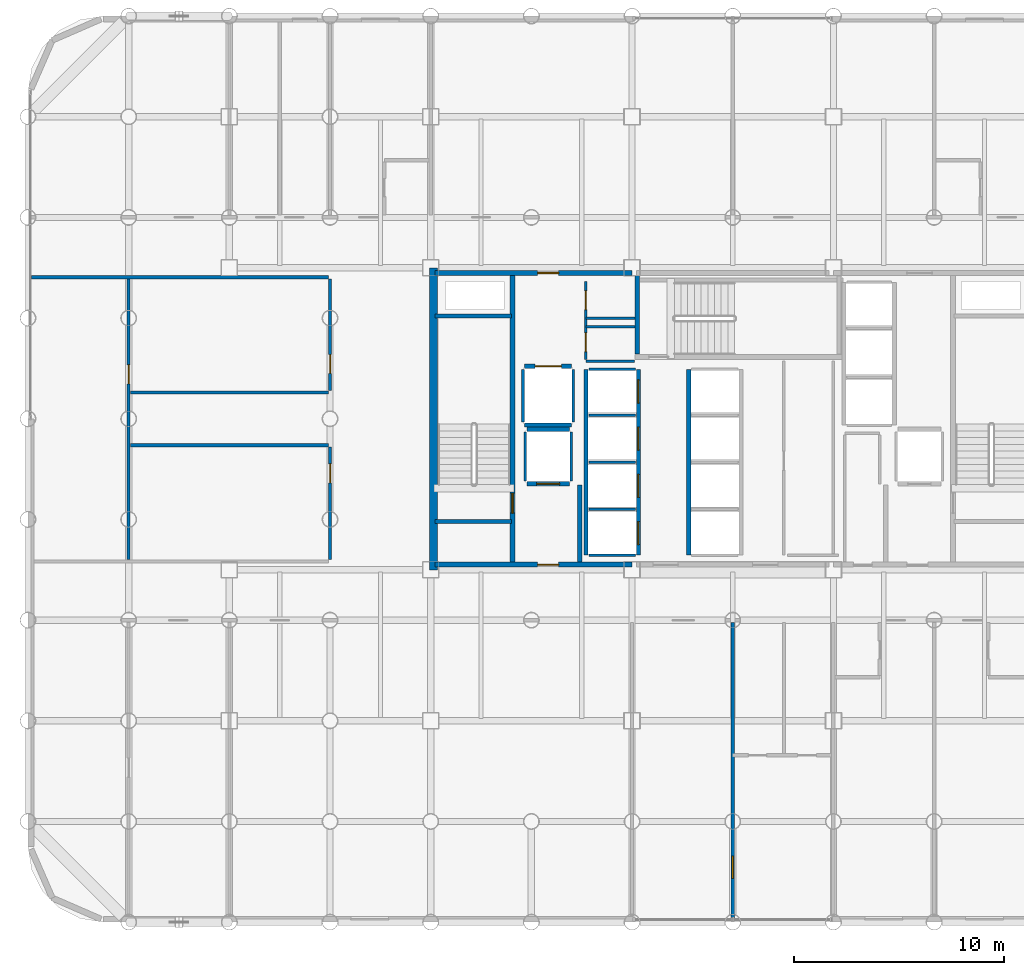
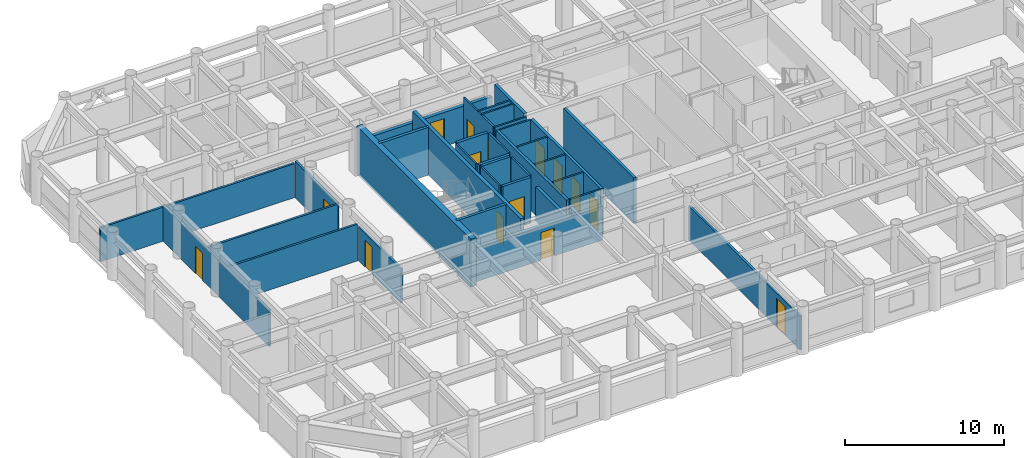
# One storey, part 16 of 21: 35 walls, 15 doors, 15 openings.
"""IFC4 building model written with IfcOpenShell, lengths in metres."""

from ifc_helpers import new_model, si_unit, direction, frame, frame_2d, origin, place, context, subcontext, project, spatial, rectangle, extrude, material, layer, layer_set, type_object, element, fill, save


model = new_model("IFC4")

# Units and contexts
model_context = context("Model", 3, precision=1e-05, world=origin(), true_north=direction((0.0, 1.0)))
body_context = subcontext(model_context, "Body", "Model", "MODEL_VIEW")
ifc_project = project(units=[si_unit("LENGTHUNIT", "METRE"), si_unit("AREAUNIT", "SQUARE_METRE"), si_unit("VOLUMEUNIT", "CUBIC_METRE"), si_unit("PLANEANGLEUNIT", "RADIAN"), si_unit("MASSUNIT", "GRAM", prefix="KILO")], contexts=[model_context])

# Site, building, storey
site_placement = place(None, origin())
site = spatial("IfcSite", under=ifc_project, at=site_placement, CompositionType="ELEMENT")
building_placement = place(site_placement, origin())
building = spatial("IfcBuilding", under=site, at=building_placement, Name="Kallvorn Hotel Tower", CompositionType="ELEMENT")
storey_placement = place(building_placement, frame((0.0, 0.0, 41.10009765625)))
storey = spatial("IfcBuildingStorey", under=building, at=storey_placement, Name="L08", CompositionType="ELEMENT", Elevation=41.10009765625)

# Wall
ifc_material_1 = material(Name="Concrete C50/60", Category="concrete")
ifc_layer_1 = layer(ifc_material_1, 0.39990234375)
ifc_layer_set_1 = layer_set([ifc_layer_1], Name="WL_CORE_400")
wall_type_1 = type_object("IfcWallType", Name="WL_CORE_400", PredefinedType="SHEAR", material=ifc_layer_set_1)
wall_1_placement = place(storey_placement, frame((-14.264892578125, -7.199951171875, -0.18017578125), z_axis=(0.0, 0.0, 1.0), x_axis=(0.0, 1.0, 0.0)))
element("IfcWall", 1, at=wall_1_placement, inside=storey, type_object=wall_type_1, Name="L08 Core West Shear Wall", PredefinedType="SHEAR", context=body_context, shape_type="SweptSolid", body=[
    extrude(rectangle(XDim=14.39990234375, YDim=0.39990234375, at=frame_2d((7.199951171875, 0.0))), origin(), (0.0, 0.0, 1.0), 3.7001953125),
])

# Wall, opening, door
ifc_material_2 = material(Name="Fire-rated double-layer acoustic gypsum drywall EI 60")
ifc_layer_2 = layer(ifc_material_2, 0.159912109375)
ifc_layer_set_2 = layer_set([ifc_layer_2], Name="WL_DEMISE_160")
wall_type_2 = type_object("IfcWallType", Name="WL_DEMISE_160", PredefinedType="PARTITIONING", material=ifc_layer_set_2)
wall_2_placement = place(storey_placement, frame((0.0, -23.794921875, 0.0), z_axis=(0.0, 0.0, 1.0), x_axis=(0.0, 1.0, 0.0)))
wall_2 = element("IfcWall", 2, at=wall_2_placement, inside=storey, type_object=wall_type_2, Name="L08 Suite 803 Executive Bedroom Partition", PredefinedType="PARTITIONING", context=body_context, shape_type="SweptSolid", body=[
    extrude(rectangle(XDim=14.074951171875, YDim=0.159912109375, at=frame_2d((7.03759765625, 0.0))), origin(), (0.0, 0.0, 1.0), 2.619873046875),
])
opening_1_placement = place(wall_2_placement, frame((1.88818359375, 0.0, 0.0)))
opening_1 = element("IfcOpeningElement", 3, at=opening_1_placement, cuts=wall_2, Name="Opening GD2", PredefinedType="OPENING", context=body_context, shape_type="SweptSolid", body=[
    extrude(rectangle(XDim=1.050048828125, YDim=2.199951171875, at=frame_2d((0.52490234375, 1.10009765625))), frame((0.0, 0.094970703125, 0.0), z_axis=(0.0, -1.0, 0.0), x_axis=(1.0, 0.0, 0.0)), (0.0, 0.0, 1.0), 0.18994140625),
])
ifc_material_3 = material(Name="Solid-core walnut veneer fire-rated timber door leaf", Category="wood")
door_type_1 = type_object("IfcDoorType", Name="DR_SUITE_1050x2200", OperationType="NOTDEFINED", PredefinedType="DOOR", material=ifc_material_3)
door_1_placement = place(opening_1_placement, origin())
door_1 = element("IfcDoor", 4, at=door_1_placement, inside=storey, type_object=door_type_1, Name="L08 Suite 803 Executive Bedroom Door", OperationType="SINGLE_SWING_RIGHT", OverallHeight=2.199951171875, OverallWidth=1.050048828125, PredefinedType="DOOR", context=body_context, shape_type="SweptSolid", body=[
    extrude(rectangle(XDim=1.050048828125, YDim=2.199951171875, at=frame_2d((0.52490234375, 1.10009765625))), frame((0.0, 0.02490234375, 0.0), z_axis=(0.0, -1.0, 0.0), x_axis=(1.0, 0.0, 0.0)), (0.0, 0.0, 1.0), 0.050048828125),
])
fill(opening_1, door_1)

# Walls
ifc_material_4 = material(Name="Concrete C40/50", Category="concrete")
ifc_layer_3 = layer(ifc_material_4, 0.219970703125)
ifc_layer_set_3 = layer_set([ifc_layer_3], Name="WL_FFL_220")
wall_type_3 = type_object("IfcWallType", Name="WL_FFL_220", PredefinedType="SOLIDWALL", material=ifc_layer_set_3)
wall_3_placement = place(storey_placement, frame((-7.300048828125, -6.820068359375, 0.0), z_axis=(0.0, 0.0, 1.0), x_axis=(0.0, 1.0, 0.0)))
element("IfcWall", 5, at=wall_3_placement, inside=storey, type_object=wall_type_3, Name="L08 Firefighting Lobby West Divider Wall", PredefinedType="SOLIDWALL", context=body_context, shape_type="SweptSolid", body=[
    extrude(rectangle(XDim=3.670166015625, YDim=0.219970703125, at=frame_2d((1.8349609375, 0.0))), origin(), (0.0, 0.0, 1.0), 2.619873046875),
])
ifc_material_5 = material(Name="Concrete C40/50", Category="concrete")
ifc_layer_4 = layer(ifc_material_5, 0.199951171875)
ifc_layer_set_4 = layer_set([ifc_layer_4], Name="WL_HOIST_200")
wall_type_4 = type_object("IfcWallType", Name="WL_HOIST_200", PredefinedType="SOLIDWALL", material=ifc_layer_set_4)
for number, where, z_axis, x_axis, name in (
    (6, (-14.199951171875, -4.89990234375, -0.18017578125), (0.0, 0.0, 1.0), (1.0, 0.0, 0.0), "L08 Stair ST1 South Wall"),
    (7, (-14.199951171875, 4.89990234375, -0.18017578125), (0.0, 0.0, 1.0), (1.0, 0.0, 0.0), "L08 Stair ST1 North Wall"),
):
    element("IfcWall", number, at=place(storey_placement, frame(where, z_axis=z_axis, x_axis=x_axis)), inside=storey, type_object=wall_type_4, Name=name, PredefinedType="SOLIDWALL", context=body_context, shape_type="SweptSolid", body=[
        extrude(rectangle(XDim=3.64990234375, YDim=0.199951171875, at=frame_2d((1.824951171875, 0.0))), origin(), (0.0, 0.0, 1.0), 3.7001953125),
    ])
wall_4_placement = place(storey_placement, frame((-4.550048828125, 3.080078125, -0.18017578125), z_axis=(0.0, 0.0, 1.0), x_axis=(0.0, 1.0, 0.0)))
element("IfcWall", 8, at=wall_4_placement, inside=storey, type_object=wall_type_4, Name="L08 Stair ST3 West Wall", PredefinedType="SOLIDWALL", context=body_context, shape_type="SweptSolid", body=[
    extrude(rectangle(XDim=3.739990234375, YDim=0.199951171875, at=frame_2d((1.8701171875, 0.0))), origin(), (0.0, 0.0, 1.0), 3.7001953125),
])

# Wall, openings, doors
wall_5_placement = place(storey_placement, frame((-4.5, -6.5, 0.0), z_axis=(0.0, 0.0, 1.0), x_axis=(0.0, 1.0, 0.0)))
wall_5 = element("IfcWall", 9, at=wall_5_placement, inside=storey, type_object=wall_type_4, Name="L08 Lift Bank B1 Landing Wall", PredefinedType="SOLIDWALL", context=body_context, shape_type="SweptSolid", body=[
    extrude(rectangle(XDim=8.85009765625, YDim=0.199951171875, at=frame_2d((4.425048828125, 0.0))), origin(), (0.0, 0.0, 1.0), 3.52001953125),
])
opening_2_placement = place(wall_5_placement, frame((0.5, 0.0, 0.0)))
opening_2 = element("IfcOpeningElement", 10, at=opening_2_placement, cuts=wall_5, Name="Opening LD-PL-01", PredefinedType="OPENING", context=body_context, shape_type="SweptSolid", body=[
    extrude(rectangle(XDim=1.10009765625, YDim=2.199951171875, at=frame_2d((0.550048828125, 1.10009765625))), frame((0.0, 0.114990234375, 0.0), z_axis=(0.0, -1.0, 0.0), x_axis=(1.0, 0.0, 0.0)), (0.0, 0.0, 1.0), 0.22998046875),
])
opening_3_placement = place(wall_5_placement, frame((2.75, 0.0, 0.0)))
opening_3 = element("IfcOpeningElement", 11, at=opening_3_placement, cuts=wall_5, Name="Opening LD-PL-02", PredefinedType="OPENING", context=body_context, shape_type="SweptSolid", body=[
    extrude(rectangle(XDim=1.10009765625, YDim=2.199951171875, at=frame_2d((0.550048828125, 1.10009765625))), frame((0.0, 0.114990234375, 0.0), z_axis=(0.0, -1.0, 0.0), x_axis=(1.0, 0.0, 0.0)), (0.0, 0.0, 1.0), 0.22998046875),
])
opening_4_placement = place(wall_5_placement, frame((5.0, 0.0, 0.0)))
opening_4 = element("IfcOpeningElement", 12, at=opening_4_placement, cuts=wall_5, Name="Opening LD-PL-03", PredefinedType="OPENING", context=body_context, shape_type="SweptSolid", body=[
    extrude(rectangle(XDim=1.10009765625, YDim=2.199951171875, at=frame_2d((0.550048828125, 1.10009765625))), frame((0.0, 0.114990234375, 0.0), z_axis=(0.0, -1.0, 0.0), x_axis=(1.0, 0.0, 0.0)), (0.0, 0.0, 1.0), 0.22998046875),
])
opening_5_placement = place(wall_5_placement, frame((7.25, 0.0, 0.0)))
opening_5 = element("IfcOpeningElement", 13, at=opening_5_placement, cuts=wall_5, Name="Opening LD-PL-04", PredefinedType="OPENING", context=body_context, shape_type="SweptSolid", body=[
    extrude(rectangle(XDim=1.10009765625, YDim=2.199951171875, at=frame_2d((0.550048828125, 1.10009765625))), frame((0.0, 0.114990234375, 0.0), z_axis=(0.0, -1.0, 0.0), x_axis=(1.0, 0.0, 0.0)), (0.0, 0.0, 1.0), 0.22998046875),
])
ifc_material_6 = material(Name="Brushed stainless-steel automatic sliding lift landing door", Category="steel")
door_type_2 = type_object("IfcDoorType", Name="LD_PASS_1100x2200", OperationType="SLIDING_TO_LEFT", PredefinedType="DOOR", material=ifc_material_6)
door_2_placement = place(opening_2_placement, origin())
door_2 = element("IfcDoor", 14, at=door_2_placement, inside=storey, type_object=door_type_2, Name="L08 Lift Landing Sliding Door LD-PL-01", OperationType="SLIDING_TO_LEFT", OverallHeight=2.199951171875, OverallWidth=1.10009765625, PredefinedType="DOOR", context=body_context, shape_type="SweptSolid", body=[
    extrude(rectangle(XDim=1.10009765625, YDim=2.199951171875, at=frame_2d((0.550048828125, 1.10009765625))), frame((0.0, 0.02490234375, 0.0), z_axis=(0.0, -1.0, 0.0), x_axis=(1.0, 0.0, 0.0)), (0.0, 0.0, 1.0), 0.050048828125),
])
fill(opening_2, door_2)
door_3_placement = place(opening_3_placement, origin())
door_3 = element("IfcDoor", 15, at=door_3_placement, inside=storey, type_object=door_type_2, Name="L08 Lift Landing Sliding Door LD-PL-02", OperationType="SLIDING_TO_LEFT", OverallHeight=2.199951171875, OverallWidth=1.10009765625, PredefinedType="DOOR", context=body_context, shape_type="SweptSolid", body=[
    extrude(rectangle(XDim=1.10009765625, YDim=2.199951171875, at=frame_2d((0.550048828125, 1.10009765625))), frame((0.0, 0.02490234375, 0.0), z_axis=(0.0, -1.0, 0.0), x_axis=(1.0, 0.0, 0.0)), (0.0, 0.0, 1.0), 0.050048828125),
])
fill(opening_3, door_3)
door_4_placement = place(opening_4_placement, origin())
door_4 = element("IfcDoor", 16, at=door_4_placement, inside=storey, type_object=door_type_2, Name="L08 Lift Landing Sliding Door LD-PL-03", OperationType="SLIDING_TO_LEFT", OverallHeight=2.199951171875, OverallWidth=1.10009765625, PredefinedType="DOOR", context=body_context, shape_type="SweptSolid", body=[
    extrude(rectangle(XDim=1.10009765625, YDim=2.199951171875, at=frame_2d((0.550048828125, 1.10009765625))), frame((0.0, 0.02490234375, 0.0), z_axis=(0.0, -1.0, 0.0), x_axis=(1.0, 0.0, 0.0)), (0.0, 0.0, 1.0), 0.050048828125),
])
fill(opening_4, door_4)
door_5_placement = place(opening_5_placement, origin())
door_5 = element("IfcDoor", 17, at=door_5_placement, inside=storey, type_object=door_type_2, Name="L08 Lift Landing Sliding Door LD-PL-04", OperationType="SLIDING_TO_LEFT", OverallHeight=2.199951171875, OverallWidth=1.10009765625, PredefinedType="DOOR", context=body_context, shape_type="SweptSolid", body=[
    extrude(rectangle(XDim=1.10009765625, YDim=2.199951171875, at=frame_2d((0.550048828125, 1.10009765625))), frame((0.0, 0.02490234375, 0.0), z_axis=(0.0, -1.0, 0.0), x_axis=(1.0, 0.0, 0.0)), (0.0, 0.0, 1.0), 0.050048828125),
])
fill(opening_5, door_5)

# Walls
for number, where, z_axis, x_axis, name in (
    (18, (-7.0, -6.5, 0.0), (0.0, 0.0, 1.0), (0.0, 1.0, 0.0), "L08 Lift Bank B1 Rear Shaft Wall"),
    (19, (-2.10009765625, -6.5, 0.0), (0.0, 0.0, 1.0), (0.0, 1.0, 0.0), "L08 Lift Bank B2 Landing Wall"),
):
    element("IfcWall", number, at=place(storey_placement, frame(where, z_axis=z_axis, x_axis=x_axis)), inside=storey, type_object=wall_type_4, Name=name, PredefinedType="SOLIDWALL", context=body_context, shape_type="SweptSolid", body=[
        extrude(rectangle(XDim=8.85009765625, YDim=0.199951171875, at=frame_2d((4.425048828125, 0.0))), origin(), (0.0, 0.0, 1.0), 3.52001953125),
    ])

# Wall, opening, door
wall_6_placement = place(storey_placement, frame((-9.820068359375, -3.10009765625, 0.0), z_axis=(0.0, 0.0, 1.0), x_axis=(1.0, 0.0, 0.0)))
wall_6 = element("IfcWall", 20, at=wall_6_placement, inside=storey, type_object=wall_type_4, Name="L08 FL-1 Landing Wall", PredefinedType="SOLIDWALL", context=body_context, shape_type="SweptSolid", body=[
    extrude(rectangle(XDim=2.0400390625, YDim=0.199951171875, at=frame_2d((1.02001953125, 0.0))), origin(), (0.0, 0.0, 1.0), 3.52001953125),
])
opening_6_placement = place(wall_6_placement, frame((0.469970703125, 0.0, 0.0)))
opening_6 = element("IfcOpeningElement", 21, at=opening_6_placement, cuts=wall_6, Name="Opening LD-FL-1", PredefinedType="OPENING", context=body_context, shape_type="SweptSolid", body=[
    extrude(rectangle(XDim=1.10009765625, YDim=2.199951171875, at=frame_2d((0.550048828125, 1.10009765625))), frame((0.0, 0.114990234375, 0.0), z_axis=(0.0, -1.0, 0.0), x_axis=(1.0, 0.0, 0.0)), (0.0, 0.0, 1.0), 0.22998046875),
])
door_6_placement = place(opening_6_placement, origin())
door_6 = element("IfcDoor", 22, at=door_6_placement, inside=storey, type_object=door_type_2, Name="L08 Lift Landing Sliding Door LD-FL-1", OperationType="SLIDING_TO_LEFT", OverallHeight=2.199951171875, OverallWidth=1.10009765625, PredefinedType="DOOR", context=body_context, shape_type="SweptSolid", body=[
    extrude(rectangle(XDim=1.10009765625, YDim=2.199951171875, at=frame_2d((0.550048828125, 1.10009765625))), frame((0.0, 0.02490234375, 0.0), z_axis=(0.0, -1.0, 0.0), x_axis=(1.0, 0.0, 0.0)), (0.0, 0.0, 1.0), 0.050048828125),
])
fill(opening_6, door_6)

# Wall
wall_7_placement = place(storey_placement, frame((-9.820068359375, -0.5, 0.0), z_axis=(0.0, 0.0, 1.0), x_axis=(1.0, 0.0, 0.0)))
element("IfcWall", 23, at=wall_7_placement, inside=storey, type_object=wall_type_4, Name="L08 FL-1 Rear Shaft Wall", PredefinedType="SOLIDWALL", context=body_context, shape_type="SweptSolid", body=[
    extrude(rectangle(XDim=2.0400390625, YDim=0.199951171875, at=frame_2d((1.02001953125, 0.0))), origin(), (0.0, 0.0, 1.0), 3.52001953125),
])

# Wall, opening, door
wall_8_placement = place(storey_placement, frame((-9.919921875, 2.5, 0.0), z_axis=(0.0, 0.0, 1.0), x_axis=(1.0, 0.0, 0.0)))
wall_8 = element("IfcWall", 24, at=wall_8_placement, inside=storey, type_object=wall_type_4, Name="L08 SV-01 Landing Wall", PredefinedType="SOLIDWALL", context=body_context, shape_type="SweptSolid", body=[
    extrude(rectangle(XDim=2.239990234375, YDim=0.199951171875, at=frame_2d((1.1201171875, 0.0))), origin(), (0.0, 0.0, 1.0), 3.52001953125),
])
opening_7_placement = place(wall_8_placement, frame((0.4951171875, 0.0, 0.0)))
opening_7 = element("IfcOpeningElement", 25, at=opening_7_placement, cuts=wall_8, Name="Opening LD-SV-01", PredefinedType="OPENING", context=body_context, shape_type="SweptSolid", body=[
    extrude(rectangle(XDim=1.25, YDim=2.25, at=frame_2d((0.625, 1.125))), frame((0.0, 0.114990234375, 0.0), z_axis=(0.0, -1.0, 0.0), x_axis=(1.0, 0.0, 0.0)), (0.0, 0.0, 1.0), 0.22998046875),
])
ifc_material_7 = material(Name="Brushed stainless-steel automatic sliding lift landing door", Category="steel")
door_type_3 = type_object("IfcDoorType", Name="LD_SERV_1250x2250", OperationType="SLIDING_TO_LEFT", PredefinedType="DOOR", material=ifc_material_7)
door_7_placement = place(opening_7_placement, origin())
door_7 = element("IfcDoor", 26, at=door_7_placement, inside=storey, type_object=door_type_3, Name="L08 Lift Landing Sliding Door LD-SV-01", OperationType="SLIDING_TO_LEFT", OverallHeight=2.25, OverallWidth=1.25, PredefinedType="DOOR", context=body_context, shape_type="SweptSolid", body=[
    extrude(rectangle(XDim=1.25, YDim=2.25, at=frame_2d((0.625, 1.125))), frame((0.0, 0.02490234375, 0.0), z_axis=(0.0, -1.0, 0.0), x_axis=(1.0, 0.0, 0.0)), (0.0, 0.0, 1.0), 0.050048828125),
])
fill(opening_7, door_7)

# Walls
wall_9_placement = place(storey_placement, frame((-9.919921875, -0.300048828125, 0.0), z_axis=(0.0, 0.0, 1.0), x_axis=(1.0, 0.0, 0.0)))
element("IfcWall", 27, at=wall_9_placement, inside=storey, type_object=wall_type_4, Name="L08 SV-01 Rear Shaft Wall", PredefinedType="SOLIDWALL", context=body_context, shape_type="SweptSolid", body=[
    extrude(rectangle(XDim=2.239990234375, YDim=0.199951171875, at=frame_2d((1.1201171875, 0.0))), origin(), (0.0, 0.0, 1.0), 3.52001953125),
])
ifc_material_8 = material(Name="Fire-rated double-layer acoustic gypsum drywall EI 60")
ifc_layer_5 = layer(ifc_material_8, 0.1201171875)
ifc_layer_set_5 = layer_set([ifc_layer_5], Name="WL_INT_120")
wall_type_5 = type_object("IfcWallType", Name="WL_INT_120", PredefinedType="PARTITIONING", material=ifc_layer_set_5)
for number, where, z_axis, x_axis, name in (
    (28, (-6.860107421875, -6.5, 0.0), (0.0, 0.0, 1.0), (1.0, 0.0, 0.0), "L08 Lift Bank B1 South Closure Wall"),
    (29, (-6.860107421875, -4.324951171875, 0.0), (0.0, 0.0, 1.0), (1.0, 0.0, 0.0), "L08 PL-01 Hoistway Divider"),
    (30, (-6.860107421875, -2.074951171875, 0.0), (0.0, 0.0, 1.0), (1.0, 0.0, 0.0), "L08 PL-02 Hoistway Divider"),
    (31, (-6.860107421875, 0.175048828125, 0.0), (0.0, 0.0, 1.0), (1.0, 0.0, 0.0), "L08 PL-03 Hoistway Divider"),
    (32, (-6.860107421875, 2.35009765625, 0.0), (0.0, 0.0, 1.0), (1.0, 0.0, 0.0), "L08 PL-04 Hoistway Divider"),
):
    element("IfcWall", number, at=place(storey_placement, frame(where, z_axis=z_axis, x_axis=x_axis)), inside=storey, type_object=wall_type_5, Name=name, PredefinedType="PARTITIONING", context=body_context, shape_type="SweptSolid", body=[
        extrude(rectangle(XDim=2.22021484375, YDim=0.1201171875, at=frame_2d((1.110107421875, 0.0))), origin(), (0.0, 0.0, 1.0), 3.52001953125),
    ])
for number, where, z_axis, x_axis, name in (
    (33, (-9.89990234375, -2.9599609375, 0.0), (0.0, 0.0, 1.0), (0.0, 1.0, 0.0), "L08 FL-1 West Shaft Wall"),
    (34, (-7.699951171875, -2.9599609375, 0.0), (0.0, 0.0, 1.0), (0.0, 1.0, 0.0), "L08 FL-1 East Shaft Wall"),
):
    element("IfcWall", number, at=place(storey_placement, frame(where, z_axis=z_axis, x_axis=x_axis)), inside=storey, type_object=wall_type_5, Name=name, PredefinedType="PARTITIONING", context=body_context, shape_type="SweptSolid", body=[
        extrude(rectangle(XDim=2.320068359375, YDim=0.1201171875, at=frame_2d((1.16015625, 0.0))), origin(), (0.0, 0.0, 1.0), 3.52001953125),
    ])
for number, where, z_axis, x_axis, name in (
    (35, (-10.0, -0.159912109375, 0.0), (0.0, 0.0, 1.0), (0.0, 1.0, 0.0), "L08 SV-01 West Shaft Wall"),
    (36, (-7.60009765625, -0.159912109375, 0.0), (0.0, 0.0, 1.0), (0.0, 1.0, 0.0), "L08 SV-01 East Shaft Wall"),
):
    element("IfcWall", number, at=place(storey_placement, frame(where, z_axis=z_axis, x_axis=x_axis)), inside=storey, type_object=wall_type_5, Name=name, PredefinedType="PARTITIONING", context=body_context, shape_type="SweptSolid", body=[
        extrude(rectangle(XDim=2.52001953125, YDim=0.1201171875, at=frame_2d((1.260009765625, 0.0))), origin(), (0.0, 0.0, 1.0), 3.52001953125),
    ])
wall_10_placement = place(storey_placement, frame((-7.0, 2.75, 0.0), z_axis=(0.0, 0.0, 1.0), x_axis=(1.0, 0.0, 0.0)))
element("IfcWall", 37, at=wall_10_placement, inside=storey, type_object=wall_type_5, Name="L08 Core Ice and Vending Pantry Partition", PredefinedType="PARTITIONING", context=body_context, shape_type="SweptSolid", body=[
    extrude(rectangle(XDim=2.31005859375, YDim=0.1201171875, at=frame_2d((1.155029296875, 0.0))), origin(), (0.0, 0.0, 1.0), 3.52001953125),
])
for number, where, z_axis, x_axis, name in (
    (38, (-7.0, 4.38330078125, 0.0), (0.0, 0.0, 1.0), (1.0, 0.0, 0.0), "L08 Core Ice and Vending Pantry Partition"),
    (39, (-7.0, 4.800048828125, 0.0), (0.0, 0.0, 1.0), (1.0, 0.0, 0.0), "L08 Core Linen Supply Closet Partition"),
):
    element("IfcWall", number, at=place(storey_placement, frame(where, z_axis=z_axis, x_axis=x_axis)), inside=storey, type_object=wall_type_5, Name=name, PredefinedType="PARTITIONING", context=body_context, shape_type="SweptSolid", body=[
        extrude(rectangle(XDim=2.35009765625, YDim=0.1201171875, at=frame_2d((1.175048828125, 0.0))), origin(), (0.0, 0.0, 1.0), 3.52001953125),
    ])

# Wall, openings, doors
wall_11_placement = place(storey_placement, frame((-7.0, 2.8349609375, 0.0), z_axis=(0.0, 0.0, 1.0), x_axis=(0.0, 1.0, 0.0)))
wall_11 = element("IfcWall", 40, at=wall_11_placement, inside=storey, type_object=wall_type_5, Name="L08 Core Ice and Vending Pantry Partition", PredefinedType="PARTITIONING", context=body_context, shape_type="SweptSolid", body=[
    extrude(rectangle(XDim=3.715087890625, YDim=0.1201171875, at=frame_2d((1.857421875, 0.0))), origin(), (0.0, 0.0, 1.0), 3.52001953125),
])
opening_8_placement = place(wall_11_placement, frame((0.364990234375, 0.0, 0.0)))
opening_8 = element("IfcOpeningElement", 41, at=opening_8_placement, cuts=wall_11, Name="Opening SVD1", PredefinedType="OPENING", context=body_context, shape_type="SweptSolid", body=[
    extrude(rectangle(XDim=0.89990234375, YDim=2.10009765625, at=frame_2d((0.449951171875, 1.050048828125))), frame((0.0, 0.074951171875, 0.0), z_axis=(0.0, -1.0, 0.0), x_axis=(1.0, 0.0, 0.0)), (0.0, 0.0, 1.0), 0.150146484375),
])
opening_9_placement = place(wall_11_placement, frame((2.364990234375, 0.0, 0.0)))
opening_9 = element("IfcOpeningElement", 42, at=opening_9_placement, cuts=wall_11, Name="Opening SVD1", PredefinedType="OPENING", context=body_context, shape_type="SweptSolid", body=[
    extrude(rectangle(XDim=0.89990234375, YDim=2.10009765625, at=frame_2d((0.449951171875, 1.050048828125))), frame((0.0, 0.074951171875, 0.0), z_axis=(0.0, -1.0, 0.0), x_axis=(1.0, 0.0, 0.0)), (0.0, 0.0, 1.0), 0.150146484375),
])
ifc_material_9 = material(Name="Galvanised painted steel fire-rated door assembly", Category="steel")
door_type_4 = type_object("IfcDoorType", Name="DR_SERV_900x2100", OperationType="NOTDEFINED", PredefinedType="DOOR", material=ifc_material_9)
door_8_placement = place(opening_8_placement, origin())
door_8 = element("IfcDoor", 43, at=door_8_placement, inside=storey, type_object=door_type_4, Name="L08 Core Ice and Vending Pantry Door", OperationType="SINGLE_SWING_RIGHT", OverallHeight=2.10009765625, OverallWidth=0.89990234375, PredefinedType="DOOR", context=body_context, shape_type="SweptSolid", body=[
    extrude(rectangle(XDim=0.89990234375, YDim=2.10009765625, at=frame_2d((0.449951171875, 1.050048828125))), frame((0.0, 0.02490234375, 0.0), z_axis=(0.0, -1.0, 0.0), x_axis=(1.0, 0.0, 0.0)), (0.0, 0.0, 1.0), 0.050048828125),
])
fill(opening_8, door_8)
door_9_placement = place(opening_9_placement, origin())
door_9 = element("IfcDoor", 44, at=door_9_placement, inside=storey, type_object=door_type_4, Name="L08 Core Linen Supply Closet Door", OperationType="SINGLE_SWING_LEFT", OverallHeight=2.10009765625, OverallWidth=0.89990234375, PredefinedType="DOOR", context=body_context, shape_type="SweptSolid", body=[
    extrude(rectangle(XDim=0.89990234375, YDim=2.10009765625, at=frame_2d((0.449951171875, 1.050048828125))), frame((0.0, 0.02490234375, 0.0), z_axis=(0.0, -1.0, 0.0), x_axis=(1.0, 0.0, 0.0)), (0.0, 0.0, 1.0), 0.050048828125),
])
fill(opening_9, door_9)

# Walls
ifc_material_10 = material(Name="Fire-rated double-layer acoustic gypsum drywall EI 60")
ifc_layer_6 = layer(ifc_material_10, 0.14990234375)
ifc_layer_set_6 = layer_set([ifc_layer_6], Name="WL_PART_150")
wall_type_6 = type_object("IfcWallType", Name="WL_PART_150", PredefinedType="PARTITIONING", material=ifc_layer_set_6)
for number, where, z_axis, x_axis, name in (
    (45, (-28.719970703125, -1.260009765625, 0.0), (0.0, 0.0, 1.0), (1.0, 0.0, 0.0), "L08 L08 West Inner Club Bar Partition"),
    (46, (-28.719970703125, 1.260009765625, 0.0), (0.0, 0.0, 1.0), (1.0, 0.0, 0.0), "L08 L08 West Inner Reading Salon Partition"),
):
    element("IfcWall", number, at=place(storey_placement, frame(where, z_axis=z_axis, x_axis=x_axis)), inside=storey, type_object=wall_type_6, Name=name, PredefinedType="PARTITIONING", context=body_context, shape_type="SweptSolid", body=[
        extrude(rectangle(XDim=9.43994140625, YDim=0.14990234375, at=frame_2d((4.719970703125, 0.0))), origin(), (0.0, 0.0, 1.0), 2.81982421875),
    ])
wall_12_placement = place(storey_placement, frame((-33.429931640625, 6.75, 0.0), z_axis=(0.0, 0.0, 1.0), x_axis=(1.0, 0.0, 0.0)))
element("IfcWall", 47, at=wall_12_placement, inside=storey, type_object=wall_type_6, Name="L08 L08 W Cordillera Panorama Dining Salon Partition", PredefinedType="PARTITIONING", context=body_context, shape_type="SweptSolid", body=[
    extrude(rectangle(XDim=14.14990234375, YDim=0.14990234375, at=frame_2d((7.074951171875, 0.0))), origin(), (0.0, 0.0, 1.0), 2.619873046875),
])

# Wall, opening, door
wall_13_placement = place(storey_placement, frame((-28.800048828125, -6.715087890625, 0.0), z_axis=(0.0, 0.0, 1.0), x_axis=(0.0, 1.0, 0.0)))
wall_13 = element("IfcWall", 48, at=wall_13_placement, inside=storey, type_object=wall_type_6, Name="L08 L08 West Inner Club Bar Partition", PredefinedType="PARTITIONING", context=body_context, shape_type="SweptSolid", body=[
    extrude(rectangle(XDim=13.380126953125, YDim=0.14990234375, at=frame_2d((6.68994140625, 0.0))), origin(), (0.0, 0.0, 1.0), 2.81982421875),
])
opening_10_placement = place(wall_13_placement, frame((8.37939453125, 0.0, 0.0)))
opening_10 = element("IfcOpeningElement", 49, at=opening_10_placement, cuts=wall_13, Name="Opening SVD1", PredefinedType="OPENING", context=body_context, shape_type="SweptSolid", body=[
    extrude(rectangle(XDim=0.89990234375, YDim=2.10009765625, at=frame_2d((0.449951171875, 1.050048828125))), frame((0.0, 0.08984375, 0.0), z_axis=(0.0, -1.0, 0.0), x_axis=(1.0, 0.0, 0.0)), (0.0, 0.0, 1.0), 0.179931640625),
])
door_10_placement = place(opening_10_placement, origin())
door_10 = element("IfcDoor", 50, at=door_10_placement, inside=storey, type_object=door_type_4, Name="L08 L08 W Cordillera Panorama Dining Salon Door", OperationType="SINGLE_SWING_LEFT", OverallHeight=2.10009765625, OverallWidth=0.89990234375, PredefinedType="DOOR", context=body_context, shape_type="SweptSolid", body=[
    extrude(rectangle(XDim=0.89990234375, YDim=2.10009765625, at=frame_2d((0.449951171875, 1.050048828125))), frame((0.0, 0.02490234375, 0.0), z_axis=(0.0, -1.0, 0.0), x_axis=(1.0, 0.0, 0.0)), (0.0, 0.0, 1.0), 0.050048828125),
])
fill(opening_10, door_10)

wall_14_placement = place(storey_placement, frame((-19.199951171875, -6.715087890625, 0.0), z_axis=(0.0, 0.0, 1.0), x_axis=(0.0, 1.0, 0.0)))
wall_14 = element("IfcWall", 51, at=wall_14_placement, inside=storey, type_object=wall_type_6, Name="L08 L08 West Inner Club Bar Partition", PredefinedType="PARTITIONING", context=body_context, shape_type="SweptSolid", body=[
    extrude(rectangle(XDim=5.3701171875, YDim=0.14990234375, at=frame_2d((2.68505859375, 0.0))), origin(), (0.0, 0.0, 1.0), 2.619873046875),
])
opening_11_placement = place(wall_14_placement, frame((3.66015625, 0.0, 0.0)))
opening_11 = element("IfcOpeningElement", 52, at=opening_11_placement, cuts=wall_14, Name="Opening SVD1", PredefinedType="OPENING", context=body_context, shape_type="SweptSolid", body=[
    extrude(rectangle(XDim=0.89990234375, YDim=2.10009765625, at=frame_2d((0.449951171875, 1.050048828125))), frame((0.0, 0.08984375, 0.0), z_axis=(0.0, -1.0, 0.0), x_axis=(1.0, 0.0, 0.0)), (0.0, 0.0, 1.0), 0.179931640625),
])
door_11_placement = place(opening_11_placement, origin())
door_11 = element("IfcDoor", 53, at=door_11_placement, inside=storey, type_object=door_type_4, Name="L08 L08 West Inner Club Bar Door", OperationType="SINGLE_SWING_RIGHT", OverallHeight=2.10009765625, OverallWidth=0.89990234375, PredefinedType="DOOR", context=body_context, shape_type="SweptSolid", body=[
    extrude(rectangle(XDim=0.89990234375, YDim=2.10009765625, at=frame_2d((0.449951171875, 1.050048828125))), frame((0.0, 0.02490234375, 0.0), z_axis=(0.0, -1.0, 0.0), x_axis=(1.0, 0.0, 0.0)), (0.0, 0.0, 1.0), 0.050048828125),
])
fill(opening_11, door_11)

wall_15_placement = place(storey_placement, frame((-19.199951171875, 1.344970703125, 0.0), z_axis=(0.0, 0.0, 1.0), x_axis=(0.0, 1.0, 0.0)))
wall_15 = element("IfcWall", 54, at=wall_15_placement, inside=storey, type_object=wall_type_6, Name="L08 L08 West Inner Reading Salon Partition", PredefinedType="PARTITIONING", context=body_context, shape_type="SweptSolid", body=[
    extrude(rectangle(XDim=5.320068359375, YDim=0.14990234375, at=frame_2d((2.66015625, 0.0))), origin(), (0.0, 0.0, 1.0), 2.81982421875),
])
opening_12_placement = place(wall_15_placement, frame((0.81689453125, 0.0, 0.0)))
opening_12 = element("IfcOpeningElement", 55, at=opening_12_placement, cuts=wall_15, Name="Opening SVD1", PredefinedType="OPENING", context=body_context, shape_type="SweptSolid", body=[
    extrude(rectangle(XDim=0.89990234375, YDim=2.10009765625, at=frame_2d((0.449951171875, 1.050048828125))), frame((0.0, 0.08984375, 0.0), z_axis=(0.0, -1.0, 0.0), x_axis=(1.0, 0.0, 0.0)), (0.0, 0.0, 1.0), 0.179931640625),
])
door_12_placement = place(opening_12_placement, origin())
door_12 = element("IfcDoor", 56, at=door_12_placement, inside=storey, type_object=door_type_4, Name="L08 L08 West Inner Reading Salon Door", OperationType="SINGLE_SWING_RIGHT", OverallHeight=2.10009765625, OverallWidth=0.89990234375, PredefinedType="DOOR", context=body_context, shape_type="SweptSolid", body=[
    extrude(rectangle(XDim=0.89990234375, YDim=2.10009765625, at=frame_2d((0.449951171875, 1.050048828125))), frame((0.0, 0.02490234375, 0.0), z_axis=(0.0, -1.0, 0.0), x_axis=(1.0, 0.0, 0.0)), (0.0, 0.0, 1.0), 0.050048828125),
])
fill(opening_12, door_12)

ifc_material_11 = material(Name="Concrete C40/50", Category="concrete")
ifc_layer_7 = layer(ifc_material_11, 0.25)
ifc_layer_set_7 = layer_set([ifc_layer_7], Name="WL_SHAFT_250")
wall_type_7 = type_object("IfcWallType", Name="WL_SHAFT_250", PredefinedType="SOLIDWALL", material=ifc_layer_set_7)
wall_16_placement = place(storey_placement, frame((-14.199951171875, -6.949951171875, 0.0), z_axis=(0.0, 0.0, 1.0), x_axis=(1.0, 0.0, 0.0)))
wall_16 = element("IfcWall", 57, at=wall_16_placement, inside=storey, type_object=wall_type_7, Name="L08 Core South-West Wall", PredefinedType="SOLIDWALL", context=body_context, shape_type="SweptSolid", body=[
    extrude(rectangle(XDim=9.39990234375, YDim=0.25, at=frame_2d((4.699951171875, 0.0))), origin(), (0.0, 0.0, 1.0), 2.619873046875),
])
opening_13_placement = place(wall_16_placement, frame((4.89990234375, 0.0, 0.0)))
opening_13 = element("IfcOpeningElement", 58, at=opening_13_placement, cuts=wall_16, Name="Opening FD1", PredefinedType="OPENING", context=body_context, shape_type="SweptSolid", body=[
    extrude(rectangle(XDim=1.0, YDim=2.14990234375, at=frame_2d((0.5, 1.074951171875))), frame((0.0, 0.139892578125, 0.0), z_axis=(0.0, -1.0, 0.0), x_axis=(1.0, 0.0, 0.0)), (0.0, 0.0, 1.0), 0.280029296875),
])
ifc_material_12 = material(Name="Galvanised painted steel fire-rated door assembly", Category="steel")
door_type_5 = type_object("IfcDoorType", Name="DR_FFL_1000x2150", OperationType="NOTDEFINED", PredefinedType="DOOR", material=ifc_material_12)
door_13_placement = place(opening_13_placement, origin())
door_13 = element("IfcDoor", 59, at=door_13_placement, inside=storey, type_object=door_type_5, Name="L08 Firefighting Lobby West Door", OperationType="SINGLE_SWING_LEFT", OverallHeight=2.14990234375, OverallWidth=1.0, PredefinedType="DOOR", context=body_context, shape_type="SweptSolid", body=[
    extrude(rectangle(XDim=1.0, YDim=2.14990234375, at=frame_2d((0.5, 1.074951171875))), frame((0.0, 0.02490234375, 0.0), z_axis=(0.0, -1.0, 0.0), x_axis=(1.0, 0.0, 0.0)), (0.0, 0.0, 1.0), 0.050048828125),
])
fill(opening_13, door_13)

wall_17_placement = place(storey_placement, frame((-14.199951171875, 6.949951171875, 0.0), z_axis=(0.0, 0.0, 1.0), x_axis=(1.0, 0.0, 0.0)))
wall_17 = element("IfcWall", 60, at=wall_17_placement, inside=storey, type_object=wall_type_7, Name="L08 Core North-West Wall", PredefinedType="SOLIDWALL", context=body_context, shape_type="SweptSolid", body=[
    extrude(rectangle(XDim=9.39990234375, YDim=0.25, at=frame_2d((4.699951171875, 0.0))), origin(), (0.0, 0.0, 1.0), 2.619873046875),
])
opening_14_placement = place(wall_17_placement, frame((4.89990234375, 0.0, 0.0)))
opening_14 = element("IfcOpeningElement", 61, at=opening_14_placement, cuts=wall_17, Name="Opening FD1", PredefinedType="OPENING", context=body_context, shape_type="SweptSolid", body=[
    extrude(rectangle(XDim=1.0, YDim=2.14990234375, at=frame_2d((0.5, 1.074951171875))), frame((0.0, 0.139892578125, 0.0), z_axis=(0.0, -1.0, 0.0), x_axis=(1.0, 0.0, 0.0)), (0.0, 0.0, 1.0), 0.280029296875),
])
door_14_placement = place(opening_14_placement, origin())
door_14 = element("IfcDoor", 62, at=door_14_placement, inside=storey, type_object=door_type_5, Name="L08 Service Lift Lobby Door", OperationType="SINGLE_SWING_LEFT", OverallHeight=2.14990234375, OverallWidth=1.0, PredefinedType="DOOR", context=body_context, shape_type="SweptSolid", body=[
    extrude(rectangle(XDim=1.0, YDim=2.14990234375, at=frame_2d((0.5, 1.074951171875))), frame((0.0, 0.02490234375, 0.0), z_axis=(0.0, -1.0, 0.0), x_axis=(1.0, 0.0, 0.0)), (0.0, 0.0, 1.0), 0.050048828125),
])
fill(opening_14, door_14)

wall_18_placement = place(storey_placement, frame((-10.5, -6.820068359375, -0.18017578125), z_axis=(0.0, 0.0, 1.0), x_axis=(0.0, 1.0, 0.0)))
wall_18 = element("IfcWall", 63, at=wall_18_placement, inside=storey, type_object=wall_type_7, Name="L08 Stair ST1 Shaft Wall", PredefinedType="SOLIDWALL", context=body_context, shape_type="SweptSolid", body=[
    extrude(rectangle(XDim=13.64013671875, YDim=0.25, at=frame_2d((6.820068359375, 0.0))), origin(), (0.0, 0.0, 1.0), 3.7001953125),
])
opening_15_placement = place(wall_18_placement, frame((2.320068359375, 0.0, 0.179931640625)))
opening_15 = element("IfcOpeningElement", 64, at=opening_15_placement, cuts=wall_18, Name="Opening SD1", PredefinedType="OPENING", context=body_context, shape_type="SweptSolid", body=[
    extrude(rectangle(XDim=0.949951171875, YDim=2.14990234375, at=frame_2d((0.47509765625, 1.074951171875))), frame((0.0, 0.139892578125, 0.0), z_axis=(0.0, -1.0, 0.0), x_axis=(1.0, 0.0, 0.0)), (0.0, 0.0, 1.0), 0.280029296875),
])
ifc_material_13 = material(Name="Galvanised painted steel fire-rated door assembly", Category="steel")
door_type_6 = type_object("IfcDoorType", Name="DR_STAIR_950x2150", OperationType="NOTDEFINED", PredefinedType="DOOR", material=ifc_material_13)
door_15_placement = place(opening_15_placement, origin())
door_15 = element("IfcDoor", 65, at=door_15_placement, inside=storey, type_object=door_type_6, Name="L08 Exit Stair ST1 Fire Door", OperationType="SINGLE_SWING_RIGHT", OverallHeight=2.14990234375, OverallWidth=0.949951171875, PredefinedType="DOOR", context=body_context, shape_type="SweptSolid", body=[
    extrude(rectangle(XDim=0.949951171875, YDim=2.14990234375, at=frame_2d((0.47509765625, 1.074951171875))), frame((0.0, 0.02490234375, 0.0), z_axis=(0.0, -1.0, 0.0), x_axis=(1.0, 0.0, 0.0)), (0.0, 0.0, 1.0), 0.050048828125),
])
fill(opening_15, door_15)

save(model, "model.ifc")
